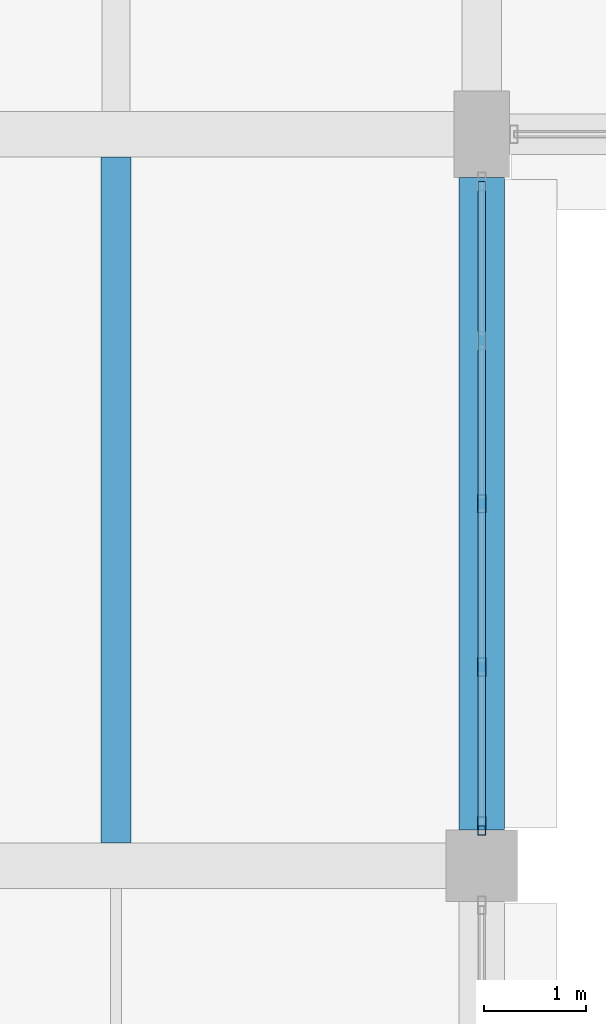
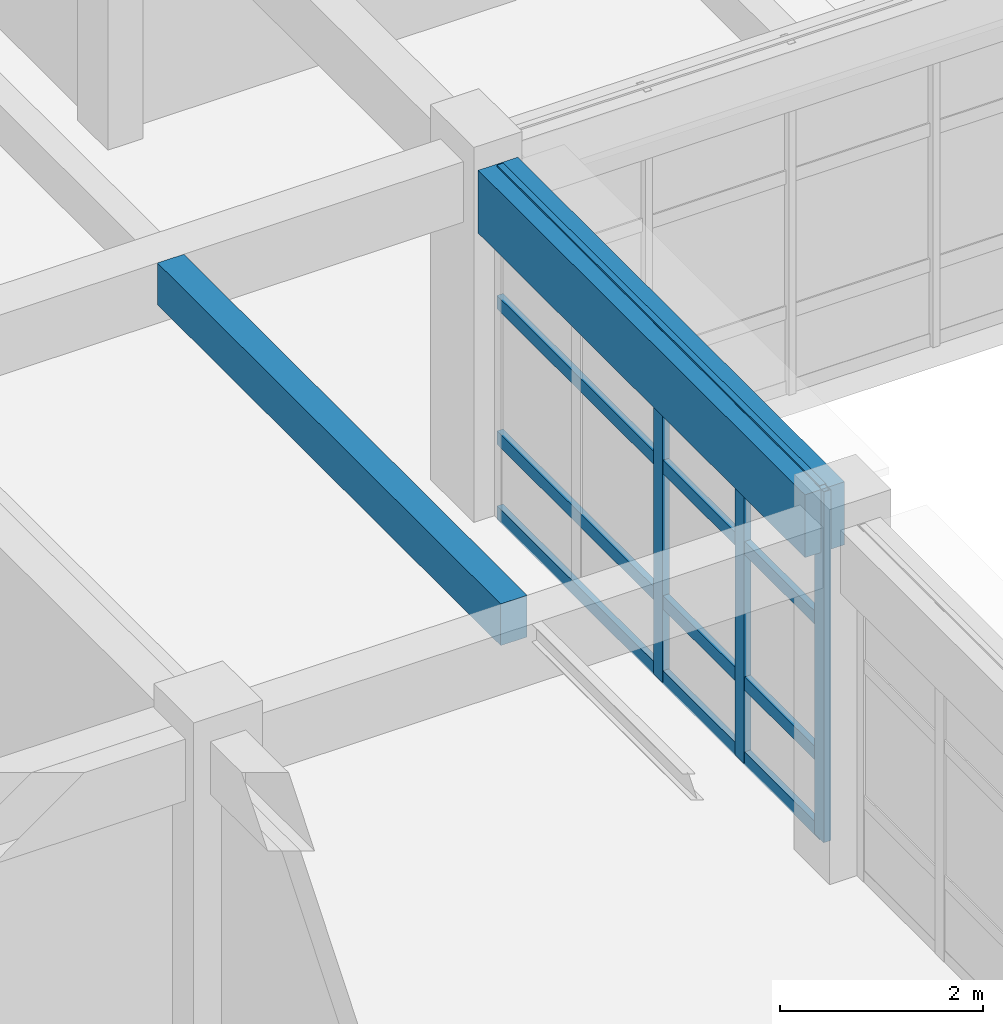
# One storey, part 21 of 171: 7 members, 2 beams, 1 element without a shape of its own.
"""IFC4 building model written with IfcOpenShell, lengths in metres."""

from ifc_helpers import new_model, si_unit, direction, frame, origin, origin_2d, place, context, subcontext, project, spatial, rectangle, hollow_rectangle, extrude, material, material_profile, profile_set, type_object, element, aggregate, save


model = new_model("IFC4")

# Units and contexts
model_context = context("Model", 3, precision=1e-05, world=origin(), true_north=direction((0.0, 1.0)))
body_context = subcontext(model_context, "Body", "Model", "MODEL_VIEW")
ifc_project = project(units=[si_unit("LENGTHUNIT", "METRE"), si_unit("AREAUNIT", "SQUARE_METRE"), si_unit("VOLUMEUNIT", "CUBIC_METRE"), si_unit("PLANEANGLEUNIT", "RADIAN"), si_unit("MASSUNIT", "GRAM", prefix="KILO")], contexts=[model_context])

# Site, building, storey
site_placement = place(None, origin())
site = spatial("IfcSite", under=ifc_project, at=site_placement, CompositionType="ELEMENT")
building_placement = place(site_placement, origin())
building = spatial("IfcBuilding", under=site, at=building_placement, Name="Thalmaran Polytechnic", CompositionType="ELEMENT")
storey_placement = place(building_placement, frame((0.0, 0.0, 5.39990234375)))
storey = spatial("IfcBuildingStorey", under=building, at=storey_placement, Name="L01", CompositionType="ELEMENT", Elevation=5.39990234375)

# Beams
ifc_material_1 = material(Name="Concrete C40/50", Category="concrete")
ifc_material_profile_1 = material_profile(ifc_material_1, rectangle(XDim=0.300048828125, YDim=0.5, at=origin_2d()), Name="RC 300x500")
ifc_profile_set_1 = profile_set([ifc_material_profile_1], Name="Concrete C40/50")
beam_type_1 = type_object("IfcBeamType", Name="BM-RC11", PredefinedType="JOIST", material=ifc_profile_set_1)
beam_1_placement = place(storey_placement, frame((18.0, 43.425048828125, 3.960205078125), z_axis=(0.0, 1.0, 0.0), x_axis=(-1.0, 0.0, 0.0)))
element("IfcBeam", 1, at=beam_1_placement, inside=storey, type_object=beam_type_1, Name="Secondary Floor Rib RB01 L01 (2,6)", PredefinedType="JOIST", context=body_context, shape_type="SweptSolid", body=[
    extrude(rectangle(XDim=0.300048828125, YDim=0.5, at=origin_2d()), origin(), (0.0, 0.0, 1.0), 6.75),
])
ifc_material_profile_2 = material_profile(ifc_material_1, rectangle(XDim=0.449951171875, YDim=0.7548828125, at=origin_2d()), Name="RC 450x755")
ifc_profile_set_2 = profile_set([ifc_material_profile_2], Name="Concrete C40/50")
beam_type_2 = type_object("IfcBeamType", Name="BM-SP02", PredefinedType="SPANDREL", material=ifc_profile_set_2)
beam_2_placement = place(storey_placement, frame((21.60009765625, 43.550048828125, 3.83251953125), z_axis=(0.0, 1.0, 0.0), x_axis=(-1.0, 0.0, 0.0)))
element("IfcBeam", 2, at=beam_2_placement, inside=storey, type_object=beam_type_2, Name="Grid Beam SP02 L01 Y(3,6)", PredefinedType="SPANDREL", context=body_context, shape_type="SweptSolid", body=[
    extrude(rectangle(XDim=0.449951171875, YDim=0.7548828125, at=origin_2d()), origin(), (0.0, 0.0, 1.0), 6.425048828125),
])

# Curtain wall, members
ifc_material_2 = material(Name="Aluminium 6063-T6", Category="aluminium")
curtain_wall_type = type_object("IfcCurtainWallType", Name="CW-UC02", PredefinedType="USERDEFINED", material=ifc_material_2)
curtain_wall_placement = place(storey_placement, origin())
curtain_wall = element("IfcCurtainWall", 3, at=curtain_wall_placement, inside=storey, type_object=curtain_wall_type, Name="Curtain Wall CW-L01-158", ObjectType="UNITISED CURTAIN WALL", PredefinedType="USERDEFINED")
ifc_material_profile_3 = material_profile(ifc_material_2, hollow_rectangle(XDim=0.080078125, YDim=0.179931640625, WallThickness=0.0048828125, at=origin_2d()), Name="RHS 180x80x5.0")
ifc_profile_set_3 = profile_set([ifc_material_profile_3], Name="Aluminium 6063-T6")
member_type_1 = type_object("IfcMemberType", Name="CW-MUL1", PredefinedType="MULLION", material=ifc_profile_set_3)
member_1_placement = place(storey_placement, frame((21.60009765625, 46.762451171875, 0.0), z_axis=(0.0, 0.0, 1.0), x_axis=(1.0, 0.0, 0.0)))
member_1 = element("IfcMember", 4, at=member_1_placement, type_object=member_type_1, Name="CW-L01-158 Mullion 3", PredefinedType="MULLION", context=body_context, shape_type="SweptSolid", body=[
    extrude(hollow_rectangle(XDim=0.080078125, YDim=0.179931640625, WallThickness=0.0048828125, at=origin_2d()), origin(), (0.0, 0.0, 1.0), 4.210205078125),
])
member_2_placement = place(storey_placement, frame((21.60009765625, 45.15625, 0.0), z_axis=(0.0, 0.0, 1.0), x_axis=(1.0, 0.0, 0.0)))
member_2 = element("IfcMember", 5, at=member_2_placement, type_object=member_type_1, Name="CW-L01-158 Mullion 4", PredefinedType="MULLION", context=body_context, shape_type="SweptSolid", body=[
    extrude(hollow_rectangle(XDim=0.080078125, YDim=0.179931640625, WallThickness=0.0048828125, at=origin_2d()), origin(), (0.0, 0.0, 1.0), 4.210205078125),
])
member_3_placement = place(storey_placement, frame((21.60009765625, 43.590087890625, 0.0), z_axis=(0.0, 0.0, 1.0), x_axis=(1.0, 0.0, 0.0)))
member_3 = element("IfcMember", 6, at=member_3_placement, type_object=member_type_1, Name="CW-L01-158 Mullion 5", PredefinedType="MULLION", context=body_context, shape_type="SweptSolid", body=[
    extrude(hollow_rectangle(XDim=0.080078125, YDim=0.179931640625, WallThickness=0.0048828125, at=origin_2d()), origin(), (0.0, 0.0, 1.0), 4.210205078125),
])
ifc_material_profile_4 = material_profile(ifc_material_2, hollow_rectangle(XDim=0.070068359375, YDim=0.159912109375, WallThickness=0.00390625, at=origin_2d()), Name="AL 160x70x4.0")
ifc_profile_set_4 = profile_set([ifc_material_profile_4], Name="Aluminium 6063-T6")
member_type_2 = type_object("IfcMemberType", Name="CW-TRN1", PredefinedType="USERDEFINED", material=ifc_profile_set_4)
member_4_placement = place(storey_placement, frame((21.60009765625, 49.93505859375, 0.06005859375), z_axis=(0.0, -1.0, 0.0), x_axis=(1.0, 0.0, 0.0)))
member_4 = element("IfcMember", 7, at=member_4_placement, type_object=member_type_2, Name="CW-L01-158 Transom 1", ObjectType="TRANSOM", PredefinedType="USERDEFINED", context=body_context, shape_type="SweptSolid", body=[
    extrude(hollow_rectangle(XDim=0.070068359375, YDim=0.159912109375, WallThickness=0.00390625, at=origin_2d()), origin(), (0.0, 0.0, 1.0), 6.344970703125),
])
member_5_placement = place(storey_placement, frame((21.60009765625, 49.93505859375, 0.960205078125), z_axis=(0.0, -1.0, 0.0), x_axis=(1.0, 0.0, 0.0)))
member_5 = element("IfcMember", 8, at=member_5_placement, type_object=member_type_2, Name="CW-L01-158 Transom 2", ObjectType="TRANSOM", PredefinedType="USERDEFINED", context=body_context, shape_type="SweptSolid", body=[
    extrude(hollow_rectangle(XDim=0.070068359375, YDim=0.159912109375, WallThickness=0.00390625, at=origin_2d()), origin(), (0.0, 0.0, 1.0), 6.344970703125),
])
member_6_placement = place(storey_placement, frame((21.60009765625, 49.93505859375, 2.585205078125), z_axis=(0.0, -1.0, 0.0), x_axis=(1.0, 0.0, 0.0)))
member_6 = element("IfcMember", 9, at=member_6_placement, type_object=member_type_2, Name="CW-L01-158 Transom 3", ObjectType="TRANSOM", PredefinedType="USERDEFINED", context=body_context, shape_type="SweptSolid", body=[
    extrude(hollow_rectangle(XDim=0.070068359375, YDim=0.159912109375, WallThickness=0.00390625, at=origin_2d()), origin(), (0.0, 0.0, 1.0), 6.344970703125),
])
member_7_placement = place(storey_placement, frame((21.60009765625, 49.93505859375, 4.150146484375), z_axis=(0.0, -1.0, 0.0), x_axis=(1.0, 0.0, 0.0)))
member_7 = element("IfcMember", 10, at=member_7_placement, type_object=member_type_2, Name="CW-L01-158 Transom 4", ObjectType="TRANSOM", PredefinedType="USERDEFINED", context=body_context, shape_type="SweptSolid", body=[
    extrude(hollow_rectangle(XDim=0.070068359375, YDim=0.159912109375, WallThickness=0.00390625, at=origin_2d()), origin(), (0.0, 0.0, 1.0), 6.344970703125),
])
aggregate(curtain_wall, [member_1, member_2, member_3, member_4, member_5, member_6, member_7])

save(model, "model.ifc")
